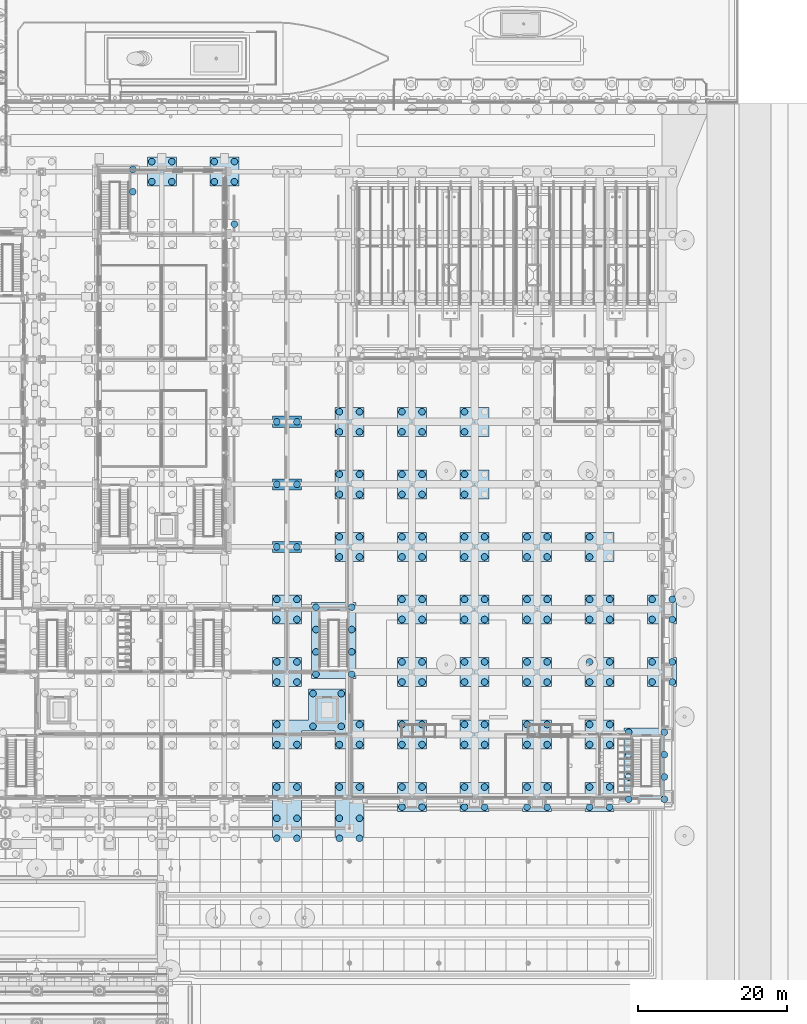
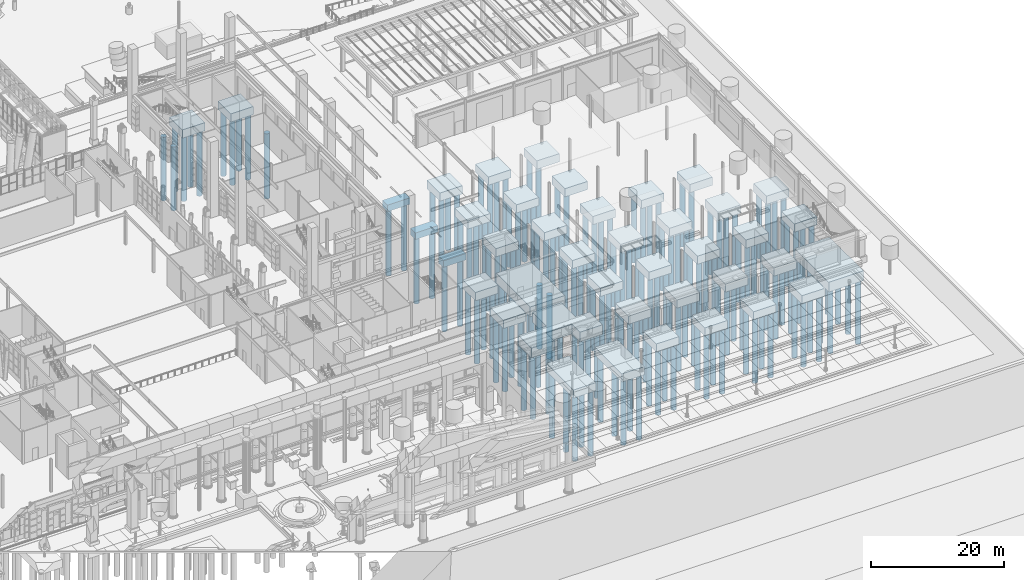
# One storey, part 5 of 222: 173 piles, 41 footings.
"""IFC4 building model written with IfcOpenShell, lengths in metres."""

from ifc_helpers import new_model, si_unit, direction, frame, origin, origin_2d, place, context, subcontext, project, spatial, polyline, rectangle, circle, outline, extrude, material, material_profile, profile_set, type_object, element, save


model = new_model("IFC4")

# Units and contexts
model_context = context("Model", 3, precision=1e-05, world=origin(), true_north=direction((0.0, 1.0)))
body_context = subcontext(model_context, "Body", "Model", "MODEL_VIEW")
ifc_project = project(units=[si_unit("LENGTHUNIT", "METRE"), si_unit("AREAUNIT", "SQUARE_METRE"), si_unit("VOLUMEUNIT", "CUBIC_METRE"), si_unit("PLANEANGLEUNIT", "RADIAN"), si_unit("MASSUNIT", "GRAM", prefix="KILO")], contexts=[model_context])

# Site, building, storey
site_placement = place(None, origin())
site = spatial("IfcSite", under=ifc_project, at=site_placement, CompositionType="ELEMENT")
building_placement = place(site_placement, origin())
building = spatial("IfcBuilding", under=site, at=building_placement, Name="Sava Quay Ferry Terminal", CompositionType="ELEMENT")
storey_placement = place(building_placement, origin())
storey = spatial("IfcBuildingStorey", under=building, at=storey_placement, Name="L00", CompositionType="ELEMENT", Elevation=0.0)

# Piles
ifc_material_1 = material(Name="Concrete C30/37", Category="concrete")
ifc_material_profile = material_profile(ifc_material_1, circle(Radius=0.449951171875, at=origin_2d()), Name="Bored pile D900")
ifc_profile_set = profile_set([ifc_material_profile], Name="Concrete C30/37")
pile_type = type_object("IfcPileType", Name="Bored pile D900", PredefinedType="BORED", material=ifc_profile_set)
for number, where, z_axis, x_axis, name in (
    (1, (116.25, 19.64990234375, -2.75), (0.0, 0.0, -1.0), (1.0, 0.0, 0.0), "Pile 116.25/19.65"),
    (2, (116.25, 22.35009765625, -2.75), (0.0, 0.0, -1.0), (1.0, 0.0, 0.0), "Pile 116.25/22.35"),
    (3, (118.949951171875, 19.64990234375, -2.75), (0.0, 0.0, -1.0), (1.0, 0.0, 0.0), "Pile 118.95/19.65"),
    (4, (118.949951171875, 22.35009765625, -2.75), (0.0, 0.0, -1.0), (1.0, 0.0, 0.0), "Pile 118.95/22.35"),
    (5, (116.25, 26.550048828125, -2.75), (0.0, 0.0, -1.0), (1.0, 0.0, 0.0), "Pile 116.25/26.55"),
    (6, (118.949951171875, 26.550048828125, -2.75), (0.0, 0.0, -1.0), (1.0, 0.0, 0.0), "Pile 118.95/26.55"),
    (7, (124.64990234375, 19.64990234375, -2.75), (0.0, 0.0, -1.0), (1.0, 0.0, 0.0), "Pile 124.65/19.65"),
    (8, (124.64990234375, 22.35009765625, -2.75), (0.0, 0.0, -1.0), (1.0, 0.0, 0.0), "Pile 124.65/22.35"),
    (9, (127.35009765625, 19.64990234375, -2.75), (0.0, 0.0, -1.0), (1.0, 0.0, 0.0), "Pile 127.35/19.65"),
    (10, (127.35009765625, 22.35009765625, -2.75), (0.0, 0.0, -1.0), (1.0, 0.0, 0.0), "Pile 127.35/22.35"),
    (11, (124.64990234375, 26.550048828125, -2.75), (0.0, 0.0, -1.0), (1.0, 0.0, 0.0), "Pile 124.65/26.55"),
    (12, (127.35009765625, 26.550048828125, -2.75), (0.0, 0.0, -1.0), (1.0, 0.0, 0.0), "Pile 127.35/26.55"),
    (13, (133.050048828125, 23.85009765625, -2.75), (0.0, 0.0, -1.0), (1.0, 0.0, 0.0), "Pile 133.05/23.85"),
    (14, (133.050048828125, 26.550048828125, -2.75), (0.0, 0.0, -1.0), (1.0, 0.0, 0.0), "Pile 133.05/26.55"),
    (15, (135.75, 23.85009765625, -2.75), (0.0, 0.0, -1.0), (1.0, 0.0, 0.0), "Pile 135.75/23.85"),
    (16, (135.75, 26.550048828125, -2.75), (0.0, 0.0, -1.0), (1.0, 0.0, 0.0), "Pile 135.75/26.55"),
    (17, (141.449951171875, 23.85009765625, -2.75), (0.0, 0.0, -1.0), (1.0, 0.0, 0.0), "Pile 141.45/23.85"),
    (18, (141.449951171875, 26.550048828125, -2.75), (0.0, 0.0, -1.0), (1.0, 0.0, 0.0), "Pile 141.45/26.55"),
    (19, (144.14990234375, 23.85009765625, -2.75), (0.0, 0.0, -1.0), (1.0, 0.0, 0.0), "Pile 144.15/23.85"),
    (20, (144.14990234375, 26.550048828125, -2.75), (0.0, 0.0, -1.0), (1.0, 0.0, 0.0), "Pile 144.15/26.55"),
    (21, (149.85009765625, 23.85009765625, -2.75), (0.0, 0.0, -1.0), (1.0, 0.0, 0.0), "Pile 149.85/23.85"),
    (22, (149.85009765625, 26.550048828125, -2.75), (0.0, 0.0, -1.0), (1.0, 0.0, 0.0), "Pile 149.85/26.55"),
    (23, (152.550048828125, 23.85009765625, -2.75), (0.0, 0.0, -1.0), (1.0, 0.0, 0.0), "Pile 152.55/23.85"),
    (24, (152.550048828125, 26.550048828125, -2.75), (0.0, 0.0, -1.0), (1.0, 0.0, 0.0), "Pile 152.55/26.55"),
    (25, (158.25, 23.85009765625, -2.75), (0.0, 0.0, -1.0), (1.0, 0.0, 0.0), "Pile 158.25/23.85"),
    (26, (158.25, 26.550048828125, -2.75), (0.0, 0.0, -1.0), (1.0, 0.0, 0.0), "Pile 158.25/26.55"),
    (27, (160.949951171875, 23.85009765625, -2.75), (0.0, 0.0, -1.0), (1.0, 0.0, 0.0), "Pile 160.95/23.85"),
    (28, (160.949951171875, 26.550048828125, -2.75), (0.0, 0.0, -1.0), (1.0, 0.0, 0.0), "Pile 160.95/26.55"),
):
    element("IfcPile", number, at=place(storey_placement, frame(where, z_axis=z_axis, x_axis=x_axis)), inside=storey, type_object=pile_type, Name=name, PredefinedType="BORED", context=body_context, shape_type="SweptSolid", body=[
        extrude(circle(Radius=0.449951171875, at=origin_2d()), origin(), (0.0, 0.0, 1.0), 11.949951171875),
    ])
for number, where, z_axis, x_axis, name in (
    (29, (163.5, 24.89990234375, -3.050048828125), (0.0, 0.0, -1.0), (1.0, 0.0, 0.0), "Pile 163.5/24.9"),
    (30, (163.5, 27.89990234375, -3.050048828125), (0.0, 0.0, -1.0), (1.0, 0.0, 0.0), "Pile 163.5/27.9"),
    (31, (163.5, 30.89990234375, -3.050048828125), (0.0, 0.0, -1.0), (1.0, 0.0, 0.0), "Pile 163.5/30.9"),
    (32, (163.5, 33.89990234375, -3.050048828125), (0.0, 0.0, -1.0), (1.0, 0.0, 0.0), "Pile 163.5/33.9"),
    (33, (168.300048828125, 24.89990234375, -3.050048828125), (0.0, 0.0, -1.0), (1.0, 0.0, 0.0), "Pile 168.3/24.9"),
    (34, (168.300048828125, 27.89990234375, -3.050048828125), (0.0, 0.0, -1.0), (1.0, 0.0, 0.0), "Pile 168.3/27.9"),
    (35, (168.300048828125, 30.89990234375, -3.050048828125), (0.0, 0.0, -1.0), (1.0, 0.0, 0.0), "Pile 168.3/30.9"),
    (36, (168.300048828125, 33.89990234375, -3.050048828125), (0.0, 0.0, -1.0), (1.0, 0.0, 0.0), "Pile 168.3/33.9"),
    (37, (121.10009765625, 34.699951171875, -3.050048828125), (0.0, 0.0, -1.0), (1.0, 0.0, 0.0), "Pile 121.1/34.7"),
    (38, (121.10009765625, 39.10009765625, -3.050048828125), (0.0, 0.0, -1.0), (1.0, 0.0, 0.0), "Pile 121.1/39.1"),
    (39, (124.89990234375, 34.699951171875, -3.050048828125), (0.0, 0.0, -1.0), (1.0, 0.0, 0.0), "Pile 124.9/34.7"),
    (40, (124.89990234375, 39.10009765625, -3.050048828125), (0.0, 0.0, -1.0), (1.0, 0.0, 0.0), "Pile 124.9/39.1"),
    (41, (116.25, 32.25, -3.050048828125), (0.0, 0.0, -1.0), (1.0, 0.0, 0.0), "Pile 116.25/32.25"),
    (42, (116.25, 34.949951171875, -3.050048828125), (0.0, 0.0, -1.0), (1.0, 0.0, 0.0), "Pile 116.25/34.95"),
    (43, (118.949951171875, 32.25, -3.050048828125), (0.0, 0.0, -1.0), (1.0, 0.0, 0.0), "Pile 118.95/32.25"),
    (44, (124.64990234375, 32.25, -3.050048828125), (0.0, 0.0, -1.0), (1.0, 0.0, 0.0), "Pile 124.65/32.25"),
    (45, (127.35009765625, 32.25, -3.050048828125), (0.0, 0.0, -1.0), (1.0, 0.0, 0.0), "Pile 127.35/32.25"),
    (46, (127.35009765625, 34.949951171875, -3.050048828125), (0.0, 0.0, -1.0), (1.0, 0.0, 0.0), "Pile 127.35/34.95"),
):
    element("IfcPile", number, at=place(storey_placement, frame(where, z_axis=z_axis, x_axis=x_axis)), inside=storey, type_object=pile_type, Name=name, PredefinedType="BORED", context=body_context, shape_type="SweptSolid", body=[
        extrude(circle(Radius=0.449951171875, at=origin_2d()), origin(), (0.0, 0.0, 1.0), 11.64990234375),
    ])
for number, where, z_axis, x_axis, name in (
    (47, (133.050048828125, 32.25, -2.75), (0.0, 0.0, -1.0), (1.0, 0.0, 0.0), "Pile 133.05/32.25"),
    (48, (133.050048828125, 34.949951171875, -2.75), (0.0, 0.0, -1.0), (1.0, 0.0, 0.0), "Pile 133.05/34.95"),
    (49, (135.75, 32.25, -2.75), (0.0, 0.0, -1.0), (1.0, 0.0, 0.0), "Pile 135.75/32.25"),
    (50, (135.75, 34.949951171875, -2.75), (0.0, 0.0, -1.0), (1.0, 0.0, 0.0), "Pile 135.75/34.95"),
    (51, (141.449951171875, 32.25, -2.75), (0.0, 0.0, -1.0), (1.0, 0.0, 0.0), "Pile 141.45/32.25"),
    (52, (141.449951171875, 34.949951171875, -2.75), (0.0, 0.0, -1.0), (1.0, 0.0, 0.0), "Pile 141.45/34.95"),
    (53, (144.14990234375, 32.25, -2.75), (0.0, 0.0, -1.0), (1.0, 0.0, 0.0), "Pile 144.15/32.25"),
    (54, (144.14990234375, 34.949951171875, -2.75), (0.0, 0.0, -1.0), (1.0, 0.0, 0.0), "Pile 144.15/34.95"),
    (55, (149.85009765625, 32.25, -2.75), (0.0, 0.0, -1.0), (1.0, 0.0, 0.0), "Pile 149.85/32.25"),
    (56, (149.85009765625, 34.949951171875, -2.75), (0.0, 0.0, -1.0), (1.0, 0.0, 0.0), "Pile 149.85/34.95"),
    (57, (152.550048828125, 32.25, -2.75), (0.0, 0.0, -1.0), (1.0, 0.0, 0.0), "Pile 152.55/32.25"),
    (58, (152.550048828125, 34.949951171875, -2.75), (0.0, 0.0, -1.0), (1.0, 0.0, 0.0), "Pile 152.55/34.95"),
    (59, (158.25, 32.25, -2.75), (0.0, 0.0, -1.0), (1.0, 0.0, 0.0), "Pile 158.25/32.25"),
    (60, (158.25, 34.949951171875, -2.75), (0.0, 0.0, -1.0), (1.0, 0.0, 0.0), "Pile 158.25/34.95"),
    (61, (160.949951171875, 32.25, -2.75), (0.0, 0.0, -1.0), (1.0, 0.0, 0.0), "Pile 160.95/32.25"),
    (62, (160.949951171875, 34.949951171875, -2.75), (0.0, 0.0, -1.0), (1.0, 0.0, 0.0), "Pile 160.95/34.95"),
    (63, (116.25, 40.64990234375, -2.75), (0.0, 0.0, -1.0), (1.0, 0.0, 0.0), "Pile 116.25/40.65"),
    (64, (116.25, 43.35009765625, -2.75), (0.0, 0.0, -1.0), (1.0, 0.0, 0.0), "Pile 116.25/43.35"),
    (65, (118.949951171875, 40.64990234375, -2.75), (0.0, 0.0, -1.0), (1.0, 0.0, 0.0), "Pile 118.95/40.65"),
    (66, (118.949951171875, 43.35009765625, -2.75), (0.0, 0.0, -1.0), (1.0, 0.0, 0.0), "Pile 118.95/43.35"),
    (67, (133.050048828125, 40.64990234375, -2.75), (0.0, 0.0, -1.0), (1.0, 0.0, 0.0), "Pile 133.05/40.65"),
    (68, (133.050048828125, 43.35009765625, -2.75), (0.0, 0.0, -1.0), (1.0, 0.0, 0.0), "Pile 133.05/43.35"),
    (69, (135.75, 40.64990234375, -2.75), (0.0, 0.0, -1.0), (1.0, 0.0, 0.0), "Pile 135.75/40.65"),
    (70, (135.75, 43.35009765625, -2.75), (0.0, 0.0, -1.0), (1.0, 0.0, 0.0), "Pile 135.75/43.35"),
    (71, (141.449951171875, 40.64990234375, -2.75), (0.0, 0.0, -1.0), (1.0, 0.0, 0.0), "Pile 141.45/40.65"),
    (72, (141.449951171875, 43.35009765625, -2.75), (0.0, 0.0, -1.0), (1.0, 0.0, 0.0), "Pile 141.45/43.35"),
    (73, (144.14990234375, 40.64990234375, -2.75), (0.0, 0.0, -1.0), (1.0, 0.0, 0.0), "Pile 144.15/40.65"),
    (74, (144.14990234375, 43.35009765625, -2.75), (0.0, 0.0, -1.0), (1.0, 0.0, 0.0), "Pile 144.15/43.35"),
    (75, (149.85009765625, 40.64990234375, -2.75), (0.0, 0.0, -1.0), (1.0, 0.0, 0.0), "Pile 149.85/40.65"),
    (76, (149.85009765625, 43.35009765625, -2.75), (0.0, 0.0, -1.0), (1.0, 0.0, 0.0), "Pile 149.85/43.35"),
    (77, (152.550048828125, 40.64990234375, -2.75), (0.0, 0.0, -1.0), (1.0, 0.0, 0.0), "Pile 152.55/40.65"),
    (78, (152.550048828125, 43.35009765625, -2.75), (0.0, 0.0, -1.0), (1.0, 0.0, 0.0), "Pile 152.55/43.35"),
    (79, (158.25, 40.64990234375, -2.75), (0.0, 0.0, -1.0), (1.0, 0.0, 0.0), "Pile 158.25/40.65"),
    (80, (158.25, 43.35009765625, -2.75), (0.0, 0.0, -1.0), (1.0, 0.0, 0.0), "Pile 158.25/43.35"),
    (81, (160.949951171875, 40.64990234375, -2.75), (0.0, 0.0, -1.0), (1.0, 0.0, 0.0), "Pile 160.95/40.65"),
    (82, (160.949951171875, 43.35009765625, -2.75), (0.0, 0.0, -1.0), (1.0, 0.0, 0.0), "Pile 160.95/43.35"),
    (83, (166.64990234375, 40.64990234375, -2.75), (0.0, 0.0, -1.0), (1.0, 0.0, 0.0), "Pile 166.65/40.65"),
    (84, (166.64990234375, 43.35009765625, -2.75), (0.0, 0.0, -1.0), (1.0, 0.0, 0.0), "Pile 166.65/43.35"),
    (85, (169.35009765625, 40.64990234375, -2.75), (0.0, 0.0, -1.0), (1.0, 0.0, 0.0), "Pile 169.35/40.65"),
    (86, (169.35009765625, 43.35009765625, -2.75), (0.0, 0.0, -1.0), (1.0, 0.0, 0.0), "Pile 169.35/43.35"),
):
    element("IfcPile", number, at=place(storey_placement, frame(where, z_axis=z_axis, x_axis=x_axis)), inside=storey, type_object=pile_type, Name=name, PredefinedType="BORED", context=body_context, shape_type="SweptSolid", body=[
        extrude(circle(Radius=0.449951171875, at=origin_2d()), origin(), (0.0, 0.0, 1.0), 11.949951171875),
    ])
for number, where, z_axis, x_axis, name in (
    (87, (121.5, 41.699951171875, -3.050048828125), (0.0, 0.0, -1.0), (1.0, 0.0, 0.0), "Pile 121.5/41.7"),
    (88, (121.5, 44.699951171875, -3.050048828125), (0.0, 0.0, -1.0), (1.0, 0.0, 0.0), "Pile 121.5/44.7"),
    (89, (121.5, 47.699951171875, -3.050048828125), (0.0, 0.0, -1.0), (1.0, 0.0, 0.0), "Pile 121.5/47.7"),
    (90, (121.5, 50.699951171875, -3.050048828125), (0.0, 0.0, -1.0), (1.0, 0.0, 0.0), "Pile 121.5/50.7"),
    (91, (126.300048828125, 41.699951171875, -3.050048828125), (0.0, 0.0, -1.0), (1.0, 0.0, 0.0), "Pile 126.3/41.7"),
    (92, (126.300048828125, 44.699951171875, -3.050048828125), (0.0, 0.0, -1.0), (1.0, 0.0, 0.0), "Pile 126.3/44.7"),
    (93, (126.300048828125, 47.699951171875, -3.050048828125), (0.0, 0.0, -1.0), (1.0, 0.0, 0.0), "Pile 126.3/47.7"),
    (94, (126.300048828125, 50.699951171875, -3.050048828125), (0.0, 0.0, -1.0), (1.0, 0.0, 0.0), "Pile 126.3/50.7"),
):
    element("IfcPile", number, at=place(storey_placement, frame(where, z_axis=z_axis, x_axis=x_axis)), inside=storey, type_object=pile_type, Name=name, PredefinedType="BORED", context=body_context, shape_type="SweptSolid", body=[
        extrude(circle(Radius=0.449951171875, at=origin_2d()), origin(), (0.0, 0.0, 1.0), 11.64990234375),
    ])
for number, where, z_axis, x_axis, name in (
    (95, (116.25, 49.050048828125, -2.75), (0.0, 0.0, -1.0), (1.0, 0.0, 0.0), "Pile 116.25/49.05"),
    (96, (116.25, 51.75, -2.75), (0.0, 0.0, -1.0), (1.0, 0.0, 0.0), "Pile 116.25/51.75"),
    (97, (118.949951171875, 49.050048828125, -2.75), (0.0, 0.0, -1.0), (1.0, 0.0, 0.0), "Pile 118.95/49.05"),
    (98, (118.949951171875, 51.75, -2.75), (0.0, 0.0, -1.0), (1.0, 0.0, 0.0), "Pile 118.95/51.75"),
    (99, (133.050048828125, 49.050048828125, -2.75), (0.0, 0.0, -1.0), (1.0, 0.0, 0.0), "Pile 133.05/49.05"),
    (100, (133.050048828125, 51.75, -2.75), (0.0, 0.0, -1.0), (1.0, 0.0, 0.0), "Pile 133.05/51.75"),
    (101, (135.75, 49.050048828125, -2.75), (0.0, 0.0, -1.0), (1.0, 0.0, 0.0), "Pile 135.75/49.05"),
    (102, (135.75, 51.75, -2.75), (0.0, 0.0, -1.0), (1.0, 0.0, 0.0), "Pile 135.75/51.75"),
    (103, (141.449951171875, 49.050048828125, -2.75), (0.0, 0.0, -1.0), (1.0, 0.0, 0.0), "Pile 141.45/49.05"),
    (104, (141.449951171875, 51.75, -2.75), (0.0, 0.0, -1.0), (1.0, 0.0, 0.0), "Pile 141.45/51.75"),
    (105, (144.14990234375, 49.050048828125, -2.75), (0.0, 0.0, -1.0), (1.0, 0.0, 0.0), "Pile 144.15/49.05"),
    (106, (144.14990234375, 51.75, -2.75), (0.0, 0.0, -1.0), (1.0, 0.0, 0.0), "Pile 144.15/51.75"),
    (107, (149.85009765625, 49.050048828125, -2.75), (0.0, 0.0, -1.0), (1.0, 0.0, 0.0), "Pile 149.85/49.05"),
    (108, (149.85009765625, 51.75, -2.75), (0.0, 0.0, -1.0), (1.0, 0.0, 0.0), "Pile 149.85/51.75"),
    (109, (152.550048828125, 49.050048828125, -2.75), (0.0, 0.0, -1.0), (1.0, 0.0, 0.0), "Pile 152.55/49.05"),
    (110, (152.550048828125, 51.75, -2.75), (0.0, 0.0, -1.0), (1.0, 0.0, 0.0), "Pile 152.55/51.75"),
    (111, (158.25, 49.050048828125, -2.75), (0.0, 0.0, -1.0), (1.0, 0.0, 0.0), "Pile 158.25/49.05"),
    (112, (158.25, 51.75, -2.75), (0.0, 0.0, -1.0), (1.0, 0.0, 0.0), "Pile 158.25/51.75"),
    (113, (160.949951171875, 49.050048828125, -2.75), (0.0, 0.0, -1.0), (1.0, 0.0, 0.0), "Pile 160.95/49.05"),
    (114, (160.949951171875, 51.75, -2.75), (0.0, 0.0, -1.0), (1.0, 0.0, 0.0), "Pile 160.95/51.75"),
    (115, (166.64990234375, 49.050048828125, -2.75), (0.0, 0.0, -1.0), (1.0, 0.0, 0.0), "Pile 166.65/49.05"),
    (116, (166.64990234375, 51.75, -2.75), (0.0, 0.0, -1.0), (1.0, 0.0, 0.0), "Pile 166.65/51.75"),
    (117, (169.35009765625, 49.050048828125, -2.75), (0.0, 0.0, -1.0), (1.0, 0.0, 0.0), "Pile 169.35/49.05"),
    (118, (169.35009765625, 51.75, -2.75), (0.0, 0.0, -1.0), (1.0, 0.0, 0.0), "Pile 169.35/51.75"),
    (119, (124.64990234375, 57.449951171875, -2.75), (0.0, 0.0, -1.0), (1.0, 0.0, 0.0), "Pile 124.65/57.45"),
    (120, (124.64990234375, 60.14990234375, -2.75), (0.0, 0.0, -1.0), (1.0, 0.0, 0.0), "Pile 124.65/60.15"),
    (121, (127.35009765625, 57.449951171875, -2.75), (0.0, 0.0, -1.0), (1.0, 0.0, 0.0), "Pile 127.35/57.45"),
    (122, (127.35009765625, 60.14990234375, -2.75), (0.0, 0.0, -1.0), (1.0, 0.0, 0.0), "Pile 127.35/60.15"),
    (123, (133.050048828125, 57.449951171875, -2.75), (0.0, 0.0, -1.0), (1.0, 0.0, 0.0), "Pile 133.05/57.45"),
    (124, (133.050048828125, 60.14990234375, -2.75), (0.0, 0.0, -1.0), (1.0, 0.0, 0.0), "Pile 133.05/60.15"),
    (125, (135.75, 57.449951171875, -2.75), (0.0, 0.0, -1.0), (1.0, 0.0, 0.0), "Pile 135.75/57.45"),
    (126, (135.75, 60.14990234375, -2.75), (0.0, 0.0, -1.0), (1.0, 0.0, 0.0), "Pile 135.75/60.15"),
    (127, (141.449951171875, 57.449951171875, -2.75), (0.0, 0.0, -1.0), (1.0, 0.0, 0.0), "Pile 141.45/57.45"),
    (128, (141.449951171875, 60.14990234375, -2.75), (0.0, 0.0, -1.0), (1.0, 0.0, 0.0), "Pile 141.45/60.15"),
    (129, (144.14990234375, 57.449951171875, -2.75), (0.0, 0.0, -1.0), (1.0, 0.0, 0.0), "Pile 144.15/57.45"),
    (130, (144.14990234375, 60.14990234375, -2.75), (0.0, 0.0, -1.0), (1.0, 0.0, 0.0), "Pile 144.15/60.15"),
    (131, (149.85009765625, 57.449951171875, -2.75), (0.0, 0.0, -1.0), (1.0, 0.0, 0.0), "Pile 149.85/57.45"),
    (132, (149.85009765625, 60.14990234375, -2.75), (0.0, 0.0, -1.0), (1.0, 0.0, 0.0), "Pile 149.85/60.15"),
    (133, (152.550048828125, 57.449951171875, -2.75), (0.0, 0.0, -1.0), (1.0, 0.0, 0.0), "Pile 152.55/57.45"),
    (134, (152.550048828125, 60.14990234375, -2.75), (0.0, 0.0, -1.0), (1.0, 0.0, 0.0), "Pile 152.55/60.15"),
    (135, (158.25, 57.449951171875, -2.75), (0.0, 0.0, -1.0), (1.0, 0.0, 0.0), "Pile 158.25/57.45"),
    (136, (158.25, 60.14990234375, -2.75), (0.0, 0.0, -1.0), (1.0, 0.0, 0.0), "Pile 158.25/60.15"),
):
    element("IfcPile", number, at=place(storey_placement, frame(where, z_axis=z_axis, x_axis=x_axis)), inside=storey, type_object=pile_type, Name=name, PredefinedType="BORED", context=body_context, shape_type="SweptSolid", body=[
        extrude(circle(Radius=0.449951171875, at=origin_2d()), origin(), (0.0, 0.0, 1.0), 11.949951171875),
    ])
for number, where, z_axis, x_axis, name in (
    (137, (116.25, 58.800048828125, -2.449951171875), (0.0, 0.0, -1.0), (1.0, 0.0, 0.0), "Pile 116.25/58.8"),
    (138, (118.949951171875, 58.800048828125, -2.449951171875), (0.0, 0.0, -1.0), (1.0, 0.0, 0.0), "Pile 118.95/58.8"),
):
    element("IfcPile", number, at=place(storey_placement, frame(where, z_axis=z_axis, x_axis=x_axis)), inside=storey, type_object=pile_type, Name=name, PredefinedType="BORED", context=body_context, shape_type="SweptSolid", body=[
        extrude(circle(Radius=0.449951171875, at=origin_2d()), origin(), (0.0, 0.0, 1.0), 12.25),
    ])
for number, where, z_axis, x_axis, name in (
    (139, (124.64990234375, 65.85009765625, -2.75), (0.0, 0.0, -1.0), (1.0, 0.0, 0.0), "Pile 124.65/65.85"),
    (140, (124.64990234375, 68.550048828125, -2.75), (0.0, 0.0, -1.0), (1.0, 0.0, 0.0), "Pile 124.65/68.55"),
    (141, (127.35009765625, 65.85009765625, -2.75), (0.0, 0.0, -1.0), (1.0, 0.0, 0.0), "Pile 127.35/65.85"),
    (142, (127.35009765625, 68.550048828125, -2.75), (0.0, 0.0, -1.0), (1.0, 0.0, 0.0), "Pile 127.35/68.55"),
    (143, (133.050048828125, 65.85009765625, -2.75), (0.0, 0.0, -1.0), (1.0, 0.0, 0.0), "Pile 133.05/65.85"),
    (144, (133.050048828125, 68.550048828125, -2.75), (0.0, 0.0, -1.0), (1.0, 0.0, 0.0), "Pile 133.05/68.55"),
    (145, (135.75, 65.85009765625, -2.75), (0.0, 0.0, -1.0), (1.0, 0.0, 0.0), "Pile 135.75/65.85"),
    (146, (135.75, 68.550048828125, -2.75), (0.0, 0.0, -1.0), (1.0, 0.0, 0.0), "Pile 135.75/68.55"),
    (147, (141.449951171875, 65.85009765625, -2.75), (0.0, 0.0, -1.0), (1.0, 0.0, 0.0), "Pile 141.45/65.85"),
    (148, (141.449951171875, 68.550048828125, -2.75), (0.0, 0.0, -1.0), (1.0, 0.0, 0.0), "Pile 141.45/68.55"),
):
    element("IfcPile", number, at=place(storey_placement, frame(where, z_axis=z_axis, x_axis=x_axis)), inside=storey, type_object=pile_type, Name=name, PredefinedType="BORED", context=body_context, shape_type="SweptSolid", body=[
        extrude(circle(Radius=0.449951171875, at=origin_2d()), origin(), (0.0, 0.0, 1.0), 11.949951171875),
    ])
for number, where, z_axis, x_axis, name in (
    (149, (116.25, 67.199951171875, -2.449951171875), (0.0, 0.0, -1.0), (1.0, 0.0, 0.0), "Pile 116.25/67.2"),
    (150, (118.949951171875, 67.199951171875, -2.449951171875), (0.0, 0.0, -1.0), (1.0, 0.0, 0.0), "Pile 118.95/67.2"),
):
    element("IfcPile", number, at=place(storey_placement, frame(where, z_axis=z_axis, x_axis=x_axis)), inside=storey, type_object=pile_type, Name=name, PredefinedType="BORED", context=body_context, shape_type="SweptSolid", body=[
        extrude(circle(Radius=0.449951171875, at=origin_2d()), origin(), (0.0, 0.0, 1.0), 12.25),
    ])
for number, where, z_axis, x_axis, name in (
    (151, (124.64990234375, 74.25, -2.75), (0.0, 0.0, -1.0), (1.0, 0.0, 0.0), "Pile 124.65/74.25"),
    (152, (124.64990234375, 76.949951171875, -2.75), (0.0, 0.0, -1.0), (1.0, 0.0, 0.0), "Pile 124.65/76.95"),
    (153, (127.35009765625, 74.25, -2.75), (0.0, 0.0, -1.0), (1.0, 0.0, 0.0), "Pile 127.35/74.25"),
    (154, (127.35009765625, 76.949951171875, -2.75), (0.0, 0.0, -1.0), (1.0, 0.0, 0.0), "Pile 127.35/76.95"),
    (155, (133.050048828125, 74.25, -2.75), (0.0, 0.0, -1.0), (1.0, 0.0, 0.0), "Pile 133.05/74.25"),
    (156, (133.050048828125, 76.949951171875, -2.75), (0.0, 0.0, -1.0), (1.0, 0.0, 0.0), "Pile 133.05/76.95"),
    (157, (135.75, 74.25, -2.75), (0.0, 0.0, -1.0), (1.0, 0.0, 0.0), "Pile 135.75/74.25"),
    (158, (135.75, 76.949951171875, -2.75), (0.0, 0.0, -1.0), (1.0, 0.0, 0.0), "Pile 135.75/76.95"),
    (159, (141.449951171875, 74.25, -2.75), (0.0, 0.0, -1.0), (1.0, 0.0, 0.0), "Pile 141.45/74.25"),
    (160, (141.449951171875, 76.949951171875, -2.75), (0.0, 0.0, -1.0), (1.0, 0.0, 0.0), "Pile 141.45/76.95"),
):
    element("IfcPile", number, at=place(storey_placement, frame(where, z_axis=z_axis, x_axis=x_axis)), inside=storey, type_object=pile_type, Name=name, PredefinedType="BORED", context=body_context, shape_type="SweptSolid", body=[
        extrude(circle(Radius=0.449951171875, at=origin_2d()), origin(), (0.0, 0.0, 1.0), 11.949951171875),
    ])
for number, where, z_axis, x_axis, name in (
    (161, (116.25, 75.60009765625, -2.449951171875), (0.0, 0.0, -1.0), (1.0, 0.0, 0.0), "Pile 116.25/75.6"),
    (162, (118.949951171875, 75.60009765625, -2.449951171875), (0.0, 0.0, -1.0), (1.0, 0.0, 0.0), "Pile 118.95/75.6"),
):
    element("IfcPile", number, at=place(storey_placement, frame(where, z_axis=z_axis, x_axis=x_axis)), inside=storey, type_object=pile_type, Name=name, PredefinedType="BORED", context=body_context, shape_type="SweptSolid", body=[
        extrude(circle(Radius=0.449951171875, at=origin_2d()), origin(), (0.0, 0.0, 1.0), 12.25),
    ])
pile_placement = place(storey_placement, frame((110.550048828125, 102.14990234375, -2.75), z_axis=(0.0, 0.0, -1.0), x_axis=(1.0, 0.0, 0.0)))
element("IfcPile", 163, at=pile_placement, inside=storey, type_object=pile_type, Name="Pile 110.55/102.15", PredefinedType="BORED", context=body_context, shape_type="SweptSolid", body=[
    extrude(circle(Radius=0.449951171875, at=origin_2d()), origin(), (0.0, 0.0, 1.0), 11.949951171875),
])
for number, where, z_axis, x_axis, name in (
    (164, (96.89990234375, 106.5, -3.050048828125), (0.0, 0.0, -1.0), (1.0, 0.0, 0.0), "Pile 96.9/106.5"),
    (165, (96.89990234375, 109.5, -3.050048828125), (0.0, 0.0, -1.0), (1.0, 0.0, 0.0), "Pile 96.9/109.5"),
):
    element("IfcPile", number, at=place(storey_placement, frame(where, z_axis=z_axis, x_axis=x_axis)), inside=storey, type_object=pile_type, Name=name, PredefinedType="BORED", context=body_context, shape_type="SweptSolid", body=[
        extrude(circle(Radius=0.449951171875, at=origin_2d()), origin(), (0.0, 0.0, 1.0), 11.64990234375),
    ])
for number, where, z_axis, x_axis, name in (
    (166, (99.449951171875, 107.85009765625, -2.75), (0.0, 0.0, -1.0), (1.0, 0.0, 0.0), "Pile 99.45/107.85"),
    (167, (99.449951171875, 110.550048828125, -2.75), (0.0, 0.0, -1.0), (1.0, 0.0, 0.0), "Pile 99.45/110.55"),
    (168, (102.14990234375, 107.85009765625, -2.75), (0.0, 0.0, -1.0), (1.0, 0.0, 0.0), "Pile 102.15/107.85"),
    (169, (102.14990234375, 110.550048828125, -2.75), (0.0, 0.0, -1.0), (1.0, 0.0, 0.0), "Pile 102.15/110.55"),
    (170, (107.85009765625, 107.85009765625, -2.75), (0.0, 0.0, -1.0), (1.0, 0.0, 0.0), "Pile 107.85/107.85"),
    (171, (107.85009765625, 110.550048828125, -2.75), (0.0, 0.0, -1.0), (1.0, 0.0, 0.0), "Pile 107.85/110.55"),
    (172, (110.550048828125, 107.85009765625, -2.75), (0.0, 0.0, -1.0), (1.0, 0.0, 0.0), "Pile 110.55/107.85"),
    (173, (110.550048828125, 110.550048828125, -2.75), (0.0, 0.0, -1.0), (1.0, 0.0, 0.0), "Pile 110.55/110.55"),
):
    element("IfcPile", number, at=place(storey_placement, frame(where, z_axis=z_axis, x_axis=x_axis)), inside=storey, type_object=pile_type, Name=name, PredefinedType="BORED", context=body_context, shape_type="SweptSolid", body=[
        extrude(circle(Radius=0.449951171875, at=origin_2d()), origin(), (0.0, 0.0, 1.0), 11.949951171875),
    ])

# Footings
ifc_material_2 = material(Name="Concrete C35/45", Category="concrete")
footing_type_1 = type_object("IfcFootingType", Name="Pile cap 3.9x1.5x1.2", PredefinedType="PILE_CAP", material=ifc_material_2)
for number, where, z_axis, x_axis, name in (
    (174, (117.60009765625, 58.800048828125, -2.5498046875), (0.0, 0.0, 1.0), (1.0, 0.0, 0.0), "Deck pile cap 115.65/58.05"),
    (175, (117.60009765625, 67.199951171875, -2.5498046875), (0.0, 0.0, 1.0), (1.0, 0.0, 0.0), "Deck pile cap 115.65/66.45"),
    (176, (117.60009765625, 75.60009765625, -2.5498046875), (0.0, 0.0, 1.0), (1.0, 0.0, 0.0), "Deck pile cap 115.65/74.85"),
):
    element("IfcFooting", number, at=place(storey_placement, frame(where, z_axis=z_axis, x_axis=x_axis)), inside=storey, type_object=footing_type_1, Name=name, PredefinedType="PILE_CAP", context=body_context, shape_type="SweptSolid", body=[
        extrude(rectangle(XDim=3.89990234375, YDim=1.5, at=origin_2d()), origin(), (0.0, 0.0, 1.0), 1.199951171875),
    ])
ifc_material_3 = material(Name="Concrete C35/45", Category="concrete")
footing_type_2 = type_object("IfcFootingType", Name="Pile cap 3.9x3.9x1.5", PredefinedType="PILE_CAP", material=ifc_material_3)
for number, where, z_axis, x_axis, name in (
    (177, (134.39990234375, 25.199951171875, -2.85009765625), (0.0, 0.0, 1.0), (1.0, 0.0, 0.0), "Pile cap 132.45/23.25"),
    (178, (142.800048828125, 25.199951171875, -2.85009765625), (0.0, 0.0, 1.0), (1.0, 0.0, 0.0), "Pile cap 140.85/23.25"),
    (179, (151.199951171875, 25.199951171875, -2.85009765625), (0.0, 0.0, 1.0), (1.0, 0.0, 0.0), "Pile cap 149.25/23.25"),
    (180, (159.60009765625, 25.199951171875, -2.85009765625), (0.0, 0.0, 1.0), (1.0, 0.0, 0.0), "Pile cap 157.65/23.25"),
    (181, (134.39990234375, 33.60009765625, -2.85009765625), (0.0, 0.0, 1.0), (1.0, 0.0, 0.0), "Pile cap 132.45/31.65"),
    (182, (142.800048828125, 33.60009765625, -2.85009765625), (0.0, 0.0, 1.0), (1.0, 0.0, 0.0), "Pile cap 140.85/31.65"),
    (183, (151.199951171875, 33.60009765625, -2.85009765625), (0.0, 0.0, 1.0), (1.0, 0.0, 0.0), "Pile cap 149.25/31.65"),
    (184, (159.60009765625, 33.60009765625, -2.85009765625), (0.0, 0.0, 1.0), (1.0, 0.0, 0.0), "Pile cap 157.65/31.65"),
    (185, (117.60009765625, 42.0, -2.85009765625), (0.0, 0.0, 1.0), (1.0, 0.0, 0.0), "Pile cap 115.65/40.05"),
    (186, (134.39990234375, 42.0, -2.85009765625), (0.0, 0.0, 1.0), (1.0, 0.0, 0.0), "Pile cap 132.45/40.05"),
    (187, (142.800048828125, 42.0, -2.85009765625), (0.0, 0.0, 1.0), (1.0, 0.0, 0.0), "Pile cap 140.85/40.05"),
    (188, (151.199951171875, 42.0, -2.85009765625), (0.0, 0.0, 1.0), (1.0, 0.0, 0.0), "Pile cap 149.25/40.05"),
    (189, (159.60009765625, 42.0, -2.85009765625), (0.0, 0.0, 1.0), (1.0, 0.0, 0.0), "Pile cap 157.65/40.05"),
    (190, (168.0, 42.0, -2.85009765625), (0.0, 0.0, 1.0), (1.0, 0.0, 0.0), "Pile cap 166.05/40.05"),
    (191, (117.60009765625, 50.39990234375, -2.85009765625), (0.0, 0.0, 1.0), (1.0, 0.0, 0.0), "Pile cap 115.65/48.45"),
    (192, (134.39990234375, 50.39990234375, -2.85009765625), (0.0, 0.0, 1.0), (1.0, 0.0, 0.0), "Pile cap 132.45/48.45"),
    (193, (142.800048828125, 50.39990234375, -2.85009765625), (0.0, 0.0, 1.0), (1.0, 0.0, 0.0), "Pile cap 140.85/48.45"),
    (194, (151.199951171875, 50.39990234375, -2.85009765625), (0.0, 0.0, 1.0), (1.0, 0.0, 0.0), "Pile cap 149.25/48.45"),
    (195, (159.60009765625, 50.39990234375, -2.85009765625), (0.0, 0.0, 1.0), (1.0, 0.0, 0.0), "Pile cap 157.65/48.45"),
    (196, (168.0, 50.39990234375, -2.85009765625), (0.0, 0.0, 1.0), (1.0, 0.0, 0.0), "Pile cap 166.05/48.45"),
    (197, (126.0, 58.800048828125, -2.85009765625), (0.0, 0.0, 1.0), (1.0, 0.0, 0.0), "Pile cap 124.05/56.85"),
    (198, (134.39990234375, 58.800048828125, -2.85009765625), (0.0, 0.0, 1.0), (1.0, 0.0, 0.0), "Pile cap 132.45/56.85"),
    (199, (142.800048828125, 58.800048828125, -2.85009765625), (0.0, 0.0, 1.0), (1.0, 0.0, 0.0), "Pile cap 140.85/56.85"),
    (200, (151.199951171875, 58.800048828125, -2.85009765625), (0.0, 0.0, 1.0), (1.0, 0.0, 0.0), "Pile cap 149.25/56.85"),
    (201, (159.60009765625, 58.800048828125, -2.85009765625), (0.0, 0.0, 1.0), (1.0, 0.0, 0.0), "Pile cap 157.65/56.85"),
    (202, (126.0, 67.199951171875, -2.85009765625), (0.0, 0.0, 1.0), (1.0, 0.0, 0.0), "Pile cap 124.05/65.25"),
    (203, (134.39990234375, 67.199951171875, -2.85009765625), (0.0, 0.0, 1.0), (1.0, 0.0, 0.0), "Pile cap 132.45/65.25"),
    (204, (142.800048828125, 67.199951171875, -2.85009765625), (0.0, 0.0, 1.0), (1.0, 0.0, 0.0), "Pile cap 140.85/65.25"),
    (205, (126.0, 75.60009765625, -2.85009765625), (0.0, 0.0, 1.0), (1.0, 0.0, 0.0), "Pile cap 124.05/73.65"),
    (206, (134.39990234375, 75.60009765625, -2.85009765625), (0.0, 0.0, 1.0), (1.0, 0.0, 0.0), "Pile cap 132.45/73.65"),
    (207, (142.800048828125, 75.60009765625, -2.85009765625), (0.0, 0.0, 1.0), (1.0, 0.0, 0.0), "Pile cap 140.85/73.65"),
    (208, (100.800048828125, 109.199951171875, -2.85009765625), (0.0, 0.0, 1.0), (1.0, 0.0, 0.0), "Pile cap 98.85/107.25"),
    (209, (109.199951171875, 109.199951171875, -2.85009765625), (0.0, 0.0, 1.0), (1.0, 0.0, 0.0), "Pile cap 107.25/107.25"),
):
    element("IfcFooting", number, at=place(storey_placement, frame(where, z_axis=z_axis, x_axis=x_axis)), inside=storey, type_object=footing_type_2, Name=name, PredefinedType="PILE_CAP", context=body_context, shape_type="SweptSolid", body=[
        extrude(rectangle(XDim=3.89990234375, YDim=3.89990234375, at=origin_2d()), origin(), (0.0, 0.0, 1.0), 1.5),
    ])
ifc_material_4 = material(Name="Concrete C35/45", Category="concrete")
footing_type_3 = type_object("IfcFootingType", Name="Pile cap 3.9x8.1x1.5", PredefinedType="PILE_CAP", material=ifc_material_4)
for number, where, z_axis, x_axis, name in (
    (210, (117.60009765625, 23.10009765625, -2.85009765625), (0.0, 0.0, 1.0), (1.0, 0.0, 0.0), "Pile cap 115.65/19.05"),
    (211, (126.0, 23.10009765625, -2.85009765625), (0.0, 0.0, 1.0), (1.0, 0.0, 0.0), "Pile cap 124.05/19.05"),
):
    element("IfcFooting", number, at=place(storey_placement, frame(where, z_axis=z_axis, x_axis=x_axis)), inside=storey, type_object=footing_type_3, Name=name, PredefinedType="PILE_CAP", context=body_context, shape_type="SweptSolid", body=[
        extrude(rectangle(XDim=3.89990234375, YDim=8.10009765625, at=origin_2d()), origin(), (0.0, 0.0, 1.0), 1.5),
    ])
ifc_material_5 = material(Name="Concrete C35/45", Category="concrete")
footing_type_4 = type_object("IfcFootingType", Name="Pile cap 6.0x10.2x1.8", PredefinedType="PILE_CAP", material=ifc_material_5)
for number, where, z_axis, x_axis, name in (
    (212, (165.89990234375, 29.39990234375, -3.14990234375), (0.0, 0.0, 1.0), (1.0, 0.0, 0.0), "Raft 162.9/24.3"),
    (213, (123.89990234375, 46.199951171875, -3.14990234375), (0.0, 0.0, 1.0), (1.0, 0.0, 0.0), "Raft 120.9/41.1"),
):
    element("IfcFooting", number, at=place(storey_placement, frame(where, z_axis=z_axis, x_axis=x_axis)), inside=storey, type_object=footing_type_4, Name=name, PredefinedType="PILE_CAP", context=body_context, shape_type="SweptSolid", body=[
        extrude(rectangle(XDim=6.0, YDim=10.199951171875, at=origin_2d()), origin(), (0.0, 0.0, 1.0), 1.800048828125),
    ])
ifc_material_6 = material(Name="Concrete C35/45", Category="concrete")
footing_type_5 = type_object("IfcFootingType", Name="Pile cap group 1.8", PredefinedType="PILE_CAP", material=ifc_material_6)
footing_placement = place(storey_placement, frame((0.0, 0.0, -3.14990234375)))
element("IfcFooting", 214, at=footing_placement, inside=storey, type_object=footing_type_5, Name="Raft 115.65/31.65", PredefinedType="PILE_CAP", context=body_context, shape_type="SweptSolid", body=[
    extrude(outline(polyline([(120.5, 39.699951171875), (125.5, 39.699951171875), (125.5, 35.550048828125), (127.949951171875, 35.550048828125), (127.949951171875, 31.64990234375), (124.050048828125, 31.64990234375), (124.050048828125, 34.10009765625), (119.550048828125, 34.10009765625), (119.550048828125, 31.64990234375), (115.64990234375, 31.64990234375), (115.64990234375, 35.550048828125), (120.5, 35.550048828125), (120.5, 39.699951171875)])), origin(), (0.0, 0.0, 1.0), 1.7998046875),
])

save(model, "model.ifc")
